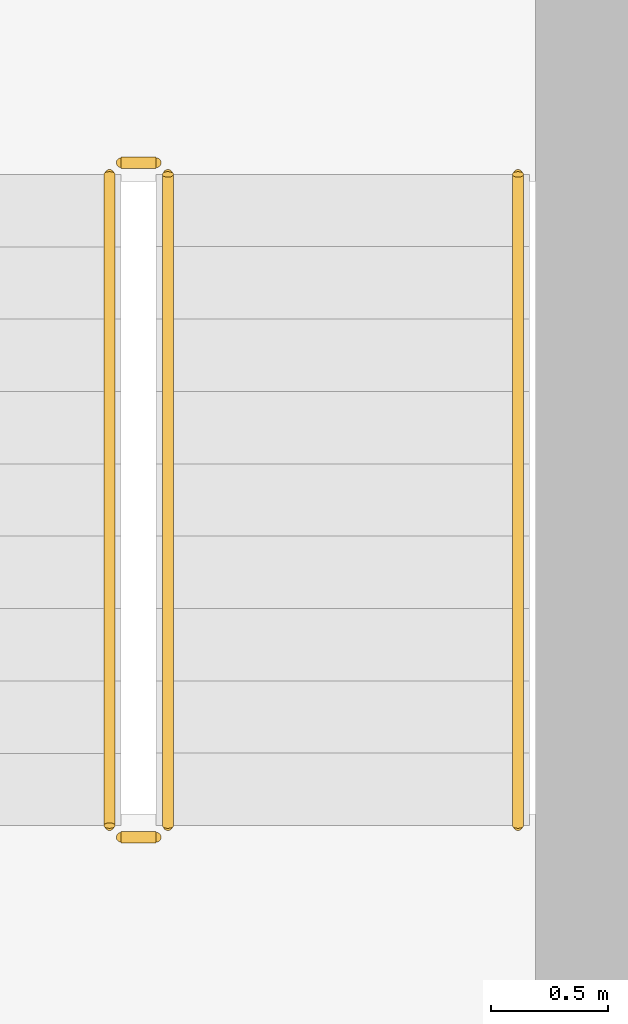
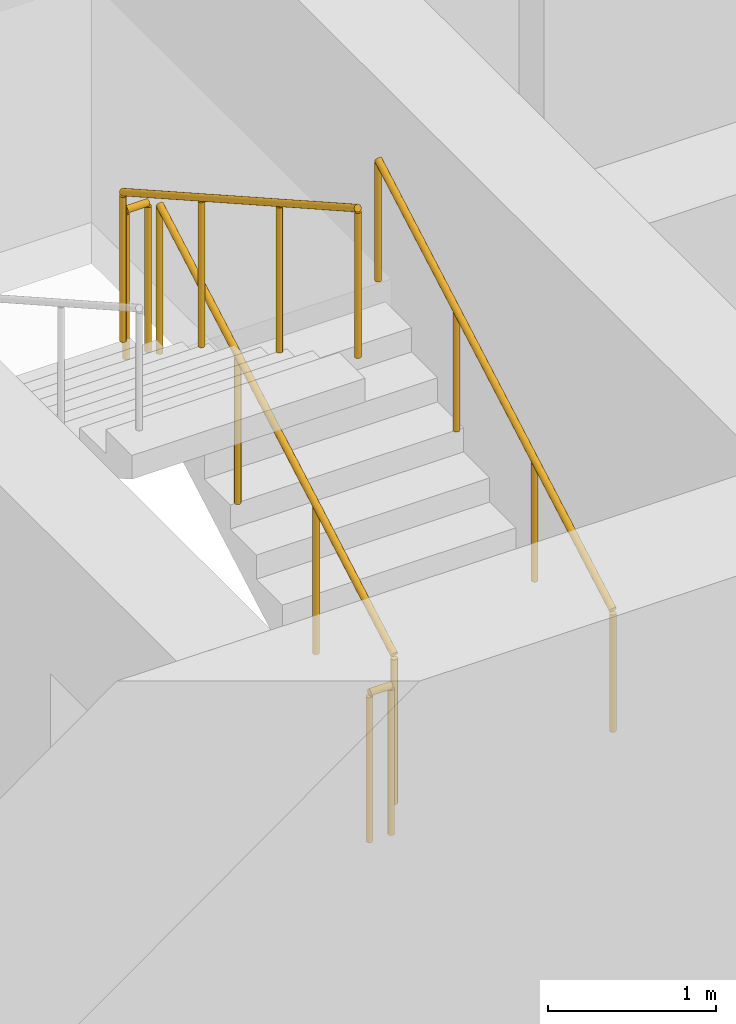
# One storey, part 17 of 21: 5 railings.
"""IFC4 building model written with IfcOpenShell, lengths in metres."""

from ifc_helpers import new_model, si_unit, direction, frame, origin, origin_2d, place, context, subcontext, project, spatial, circle, extrude, material, type_object, element, save


model = new_model("IFC4")

# Units and contexts
model_context = context("Model", 3, precision=1e-05, world=origin(), true_north=direction((0.0, 1.0)))
body_context = subcontext(model_context, "Body", "Model", "MODEL_VIEW")
ifc_project = project(units=[si_unit("LENGTHUNIT", "METRE"), si_unit("AREAUNIT", "SQUARE_METRE"), si_unit("VOLUMEUNIT", "CUBIC_METRE"), si_unit("PLANEANGLEUNIT", "RADIAN"), si_unit("MASSUNIT", "GRAM", prefix="KILO")], contexts=[model_context])

# Site, building, storey
site_placement = place(None, origin())
site = spatial("IfcSite", under=ifc_project, at=site_placement, CompositionType="ELEMENT")
building_placement = place(site_placement, origin())
building = spatial("IfcBuilding", under=site, at=building_placement, Name="Madar Terraces", CompositionType="ELEMENT")
storey_placement = place(building_placement, frame((0.0, 0.0, 80.300048828125)))
storey = spatial("IfcBuildingStorey", under=building, at=storey_placement, Name="L20", CompositionType="ELEMENT", Elevation=80.300048828125)

# Railings
ifc_material_1 = material(Name="Stainless steel railing", Category="steel")
railing_type_1 = type_object("IfcRailingType", Name="Stair guard 1100", PredefinedType="GUARDRAIL", material=ifc_material_1)
railing_1_placement = place(storey_placement, frame((21.199951171875, 17.60009765625, 0.175048828125)))
element("IfcRailing", 1, at=railing_1_placement, inside=storey, type_object=railing_type_1, Name="L20 ST1 stair guard 1", PredefinedType="GUARDRAIL", context=body_context, shape_type="SweptSolid", body=[
    extrude(circle(Radius=0.02392578125, at=origin_2d()), frame((0.0, 0.0, 1.076171875), z_axis=(0.0, 0.870815363784, 0.491610213684), x_axis=(-1.0, 0.0, 0.0)), (0.0, 0.0, 1.0), 3.20361328125),
    extrude(circle(Radius=0.02099609375, at=origin_2d()), origin(), (0.0, 0.0, 1.0), 1.052001953125),
    extrude(circle(Radius=0.02099609375, at=origin_2d()), frame((0.0, 0.929931640625, 0.52490234375)), (0.0, 0.0, 1.0), 1.052001953125),
    extrude(circle(Radius=0.02099609375, at=origin_2d()), frame((0.0, 1.85986328125, 1.050048828125)), (0.0, 0.0, 1.0), 1.052001953125),
    extrude(circle(Radius=0.02099609375, at=origin_2d()), frame((0.0, 2.789794921875, 1.574951171875)), (0.0, 0.0, 1.0), 1.052001953125),
])
railing_2_placement = place(storey_placement, frame((21.14990234375, 20.43994140625, 1.75)))
element("IfcRailing", 2, at=railing_2_placement, inside=storey, type_object=railing_type_1, Name="L20 ST1 stair guard 2", PredefinedType="GUARDRAIL", context=body_context, shape_type="SweptSolid", body=[
    extrude(circle(Radius=0.02392578125, at=origin_2d()), frame((0.0, 0.0, 1.076171875), z_axis=(-1.0, 0.0, 0.0), x_axis=(0.0, -1.0, 0.0)), (0.0, 0.0, 1.0), 0.14990234375),
    extrude(circle(Radius=0.02099609375, at=origin_2d()), origin(), (0.0, 0.0, 1.0), 1.052001953125),
    extrude(circle(Radius=0.02099609375, at=origin_2d()), frame((-0.14990234375, 0.0, 0.0)), (0.0, 0.0, 1.0), 1.052001953125),
])
railing_3_placement = place(storey_placement, frame((20.949951171875, 20.389892578125, 1.925048828125)))
element("IfcRailing", 3, at=railing_3_placement, inside=storey, type_object=railing_type_1, Name="L20 ST1 stair guard 3", PredefinedType="GUARDRAIL", context=body_context, shape_type="SweptSolid", body=[
    extrude(circle(Radius=0.02392578125, at=origin_2d()), frame((0.0, 0.0, 1.076171875), z_axis=(0.0, -0.870815363784, 0.491610213684), x_axis=(1.0, 0.0, 0.0)), (0.0, 0.0, 1.0), 3.20361328125),
    extrude(circle(Radius=0.02099609375, at=origin_2d()), origin(), (0.0, 0.0, 1.0), 1.052001953125),
    extrude(circle(Radius=0.02099609375, at=origin_2d()), frame((0.0, -0.929931640625, 0.52490234375)), (0.0, 0.0, 1.0), 1.052001953125),
    extrude(circle(Radius=0.02099609375, at=origin_2d()), frame((0.0, -1.85986328125, 1.050048828125)), (0.0, 0.0, 1.0), 1.052001953125),
    extrude(circle(Radius=0.02099609375, at=origin_2d()), frame((0.0, -2.789794921875, 1.574951171875)), (0.0, 0.0, 1.0), 1.052001953125),
])
railing_4_placement = place(storey_placement, frame((21.14990234375, 17.550048828125, 0.0)))
element("IfcRailing", 4, at=railing_4_placement, inside=storey, type_object=railing_type_1, Name="L20 ST1 stair guard 4", PredefinedType="GUARDRAIL", context=body_context, shape_type="SweptSolid", body=[
    extrude(circle(Radius=0.02392578125, at=origin_2d()), frame((0.0, 0.0, 1.076171875), z_axis=(-1.0, 0.0, 0.0), x_axis=(0.0, -1.0, 0.0)), (0.0, 0.0, 1.0), 0.14990234375),
    extrude(circle(Radius=0.02099609375, at=origin_2d()), origin(), (0.0, 0.0, 1.0), 1.052001953125),
    extrude(circle(Radius=0.02099609375, at=origin_2d()), frame((-0.14990234375, 0.0, 0.0)), (0.0, 0.0, 1.0), 1.052001953125),
])
ifc_material_2 = material(Name="Stainless steel railing", Category="steel")
railing_type_2 = type_object("IfcRailingType", Name="Stair handrail 900", PredefinedType="HANDRAIL", material=ifc_material_2)
railing_5_placement = place(storey_placement, frame((22.699951171875, 17.60009765625, 0.175048828125)))
element("IfcRailing", 5, at=railing_5_placement, inside=storey, type_object=railing_type_2, Name="L20 ST1 stair handrail 1", PredefinedType="HANDRAIL", context=body_context, shape_type="SweptSolid", body=[
    extrude(circle(Radius=0.02392578125, at=origin_2d()), frame((0.0, 0.0, 0.8759765625), z_axis=(0.0, 0.870815363784, 0.491610213684), x_axis=(-1.0, 0.0, 0.0)), (0.0, 0.0, 1.0), 3.20361328125),
    extrude(circle(Radius=0.02099609375, at=origin_2d()), origin(), (0.0, 0.0, 1.0), 0.851806640625),
    extrude(circle(Radius=0.02099609375, at=origin_2d()), frame((0.0, 0.929931640625, 0.52490234375)), (0.0, 0.0, 1.0), 0.851806640625),
    extrude(circle(Radius=0.02099609375, at=origin_2d()), frame((0.0, 1.85986328125, 1.050048828125)), (0.0, 0.0, 1.0), 0.851806640625),
    extrude(circle(Radius=0.02099609375, at=origin_2d()), frame((0.0, 2.789794921875, 1.574951171875)), (0.0, 0.0, 1.0), 0.851806640625),
])

save(model, "model.ifc")
